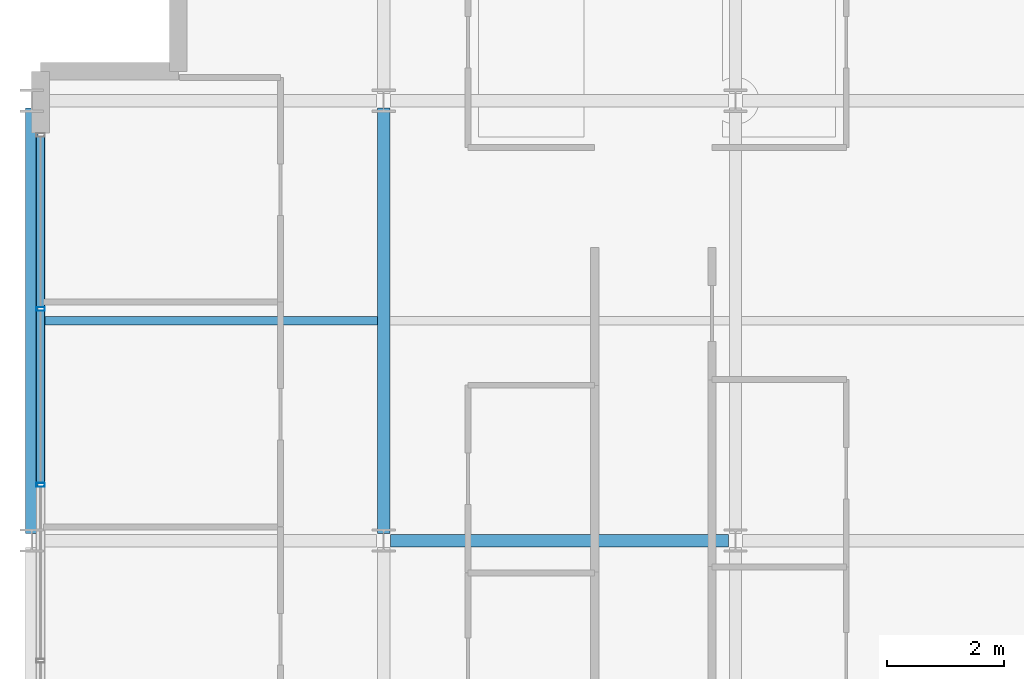
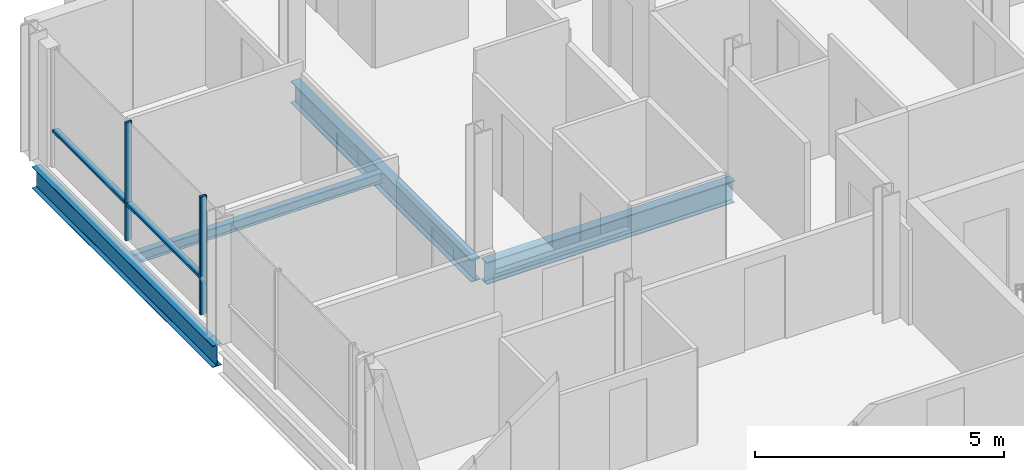
# One storey, part 5 of 33: 4 beams, 4 members, 1 element without a shape of its own.
"""IFC4 building model written with IfcOpenShell, lengths in metres."""

from ifc_helpers import new_model, si_unit, direction, frame, origin, origin_2d, place, context, subcontext, project, spatial, hollow_rectangle, i_section, extrude, material, layer, layer_set, material_profile, profile_set, type_object, element, aggregate, save


model = new_model("IFC4")

# Units and contexts
model_context = context("Model", 3, precision=1e-05, world=origin(), true_north=direction((0.0, 1.0)))
body_context = subcontext(model_context, "Body", "Model", "MODEL_VIEW")
ifc_project = project(units=[si_unit("LENGTHUNIT", "METRE"), si_unit("AREAUNIT", "SQUARE_METRE"), si_unit("VOLUMEUNIT", "CUBIC_METRE"), si_unit("PLANEANGLEUNIT", "RADIAN"), si_unit("MASSUNIT", "GRAM", prefix="KILO")], contexts=[model_context])

# Site, building, storey
site_placement = place(None, origin())
site = spatial("IfcSite", under=ifc_project, at=site_placement, CompositionType="ELEMENT")
building_placement = place(site_placement, origin())
building = spatial("IfcBuilding", under=site, at=building_placement, Name="Brevholm Reach", CompositionType="ELEMENT")
storey_placement = place(building_placement, frame((0.0, 0.0, 189.39990234375)))
storey = spatial("IfcBuildingStorey", under=building, at=storey_placement, Name="L57", CompositionType="ELEMENT", Elevation=189.39990234375)

# Beams
ifc_material_1 = material(Name="Structural Steel S355J2", Category="steel")
ifc_material_profile_1 = material_profile(ifc_material_1, i_section(OverallWidth=0.14599609375, OverallDepth=0.25146484375, WebThickness=0.006103515625, FlangeThickness=0.008544921875, FilletRadius=0.007568359375, at=origin_2d()), Name="UKB 254x146x31")
ifc_profile_set_1 = profile_set([ifc_material_profile_1], Name="Structural Steel S355J2")
beam_type_1 = type_object("IfcBeamType", Name="BM-B254", PredefinedType="BEAM", material=ifc_profile_set_1)
beam_1_placement = place(storey_placement, frame((0.104736328125, 19.75, -0.335693359375), z_axis=(1.0, 0.0, 0.0), x_axis=(0.0, 1.0, 0.0)))
element("IfcBeam", 1, at=beam_1_placement, inside=storey, type_object=beam_type_1, Name="L57 Composite Secondary Floor Beam", PredefinedType="BEAM", context=body_context, shape_type="SweptSolid", body=[
    extrude(i_section(OverallWidth=0.14599609375, OverallDepth=0.25146484375, WebThickness=0.006103515625, FlangeThickness=0.008544921875, FilletRadius=0.007568359375, at=origin_2d()), origin(), (0.0, 0.0, 1.0), 5.789794921875),
])
ifc_material_2 = material(Name="Structural Steel S355J2", Category="steel")
ifc_material_profile_2 = material_profile(ifc_material_2, i_section(OverallWidth=0.209228515625, OverallDepth=0.533203125, WebThickness=0.010009765625, FlangeThickness=0.015625, FilletRadius=0.0126953125, at=origin_2d()), Name="UKB 533x210x92")
ifc_profile_set_2 = profile_set([ifc_material_profile_2], Name="Structural Steel S355J2")
beam_type_2 = type_object("IfcBeamType", Name="BM-SP533", PredefinedType="SPANDREL", material=ifc_profile_set_2)
beam_2_placement = place(storey_placement, frame((0.0, 16.1201171875, -0.4765625), z_axis=(0.0, 1.0, 0.0), x_axis=(-1.0, 0.0, 0.0)))
element("IfcBeam", 2, at=beam_2_placement, inside=storey, type_object=beam_type_2, Name="L57 SP-02 Framing Beam", PredefinedType="SPANDREL", context=body_context, shape_type="SweptSolid", body=[
    extrude(i_section(OverallWidth=0.209228515625, OverallDepth=0.533203125, WebThickness=0.010009765625, FlangeThickness=0.015625, FilletRadius=0.0126953125, at=origin_2d()), origin(), (0.0, 0.0, 1.0), 7.259765625),
])
ifc_material_3 = material(Name="Structural Steel S355J2", Category="steel")
ifc_material_profile_3 = material_profile(ifc_material_3, i_section(OverallWidth=0.210693359375, OverallDepth=0.53955078125, WebThickness=0.01171875, FlangeThickness=0.018798828125, FilletRadius=0.0126953125, at=origin_2d()), Name="UKB 533x210x109")
ifc_profile_set_3 = profile_set([ifc_material_profile_3], Name="Structural Steel S355J2")
beam_type_3 = type_object("IfcBeamType", Name="BM-SP539", PredefinedType="SPANDREL", material=ifc_profile_set_3)
beam_3_placement = place(storey_placement, frame((6.1201171875, 16.0, -0.479736328125), z_axis=(1.0, 0.0, 0.0), x_axis=(0.0, 1.0, 0.0)))
element("IfcBeam", 3, at=beam_3_placement, inside=storey, type_object=beam_type_3, Name="L57 SP-01B Framing Beam", PredefinedType="SPANDREL", context=body_context, shape_type="SweptSolid", body=[
    extrude(i_section(OverallWidth=0.210693359375, OverallDepth=0.53955078125, WebThickness=0.01171875, FlangeThickness=0.018798828125, FilletRadius=0.0126953125, at=origin_2d()), origin(), (0.0, 0.0, 1.0), 5.759765625),
])
beam_4_placement = place(storey_placement, frame((6.0, 16.1201171875, -0.479736328125), z_axis=(0.0, 1.0, 0.0), x_axis=(-1.0, 0.0, 0.0)))
element("IfcBeam", 4, at=beam_4_placement, inside=storey, type_object=beam_type_3, Name="L57 SP-01B Framing Beam", PredefinedType="SPANDREL", context=body_context, shape_type="SweptSolid", body=[
    extrude(i_section(OverallWidth=0.210693359375, OverallDepth=0.53955078125, WebThickness=0.01171875, FlangeThickness=0.018798828125, FilletRadius=0.0126953125, at=origin_2d()), origin(), (0.0, 0.0, 1.0), 7.259765625),
])

# Curtain wall, members
ifc_material_4 = material(Name="Dark Anodised Aluminium 6063-T6 and Solar-Control Glass", Category="aluminium")
ifc_layer = layer(ifc_material_4, 0.14990234375)
ifc_layer_set = layer_set([ifc_layer], Name="Dark Anodised Aluminium 6063-T6 and Solar-Control Glass")
curtain_wall_type = type_object("IfcCurtainWallType", Name="CW-01", PredefinedType="NOTDEFINED", material=ifc_layer_set)
curtain_wall_placement = place(storey_placement, origin())
curtain_wall = element("IfcCurtainWall", 5, at=curtain_wall_placement, inside=storey, type_object=curtain_wall_type, Name="L57 Curtain Wall CW-01", PredefinedType="NOTDEFINED")
ifc_material_5 = material(Name="Dark Anodised Aluminium 6063-T6", Category="aluminium")
ifc_material_profile_4 = material_profile(ifc_material_5, hollow_rectangle(XDim=0.06494140625, YDim=0.14990234375, WallThickness=0.0048828125, InnerFilletRadius=0.0048828125, OuterFilletRadius=0.010009765625, at=origin_2d()), Name="RHS 150x65x5")
ifc_profile_set_4 = profile_set([ifc_material_profile_4], Name="Dark Anodised Aluminium 6063-T6")
member_type_1 = type_object("IfcMemberType", Name="CWM-150", PredefinedType="MULLION", material=ifc_profile_set_4)
member_1_placement = place(storey_placement, frame((0.14990234375, 19.949951171875, 0.0), z_axis=(0.0, 0.0, 1.0), x_axis=(0.0, -1.0, 0.0)))
member_1 = element("IfcMember", 6, at=member_1_placement, type_object=member_type_1, Name="CM-150 Mullion 2", PredefinedType="MULLION", context=body_context, shape_type="SweptSolid", body=[
    extrude(hollow_rectangle(XDim=0.06494140625, YDim=0.14990234375, WallThickness=0.0048828125, InnerFilletRadius=0.0048828125, OuterFilletRadius=0.010009765625, at=origin_2d()), origin(), (0.0, 0.0, 1.0), 2.89013671875),
])
member_2_placement = place(storey_placement, frame((0.14990234375, 16.949951171875, 0.0), z_axis=(0.0, 0.0, 1.0), x_axis=(0.0, -1.0, 0.0)))
member_2 = element("IfcMember", 7, at=member_2_placement, type_object=member_type_1, Name="CM-150 Mullion 3", PredefinedType="MULLION", context=body_context, shape_type="SweptSolid", body=[
    extrude(hollow_rectangle(XDim=0.06494140625, YDim=0.14990234375, WallThickness=0.0048828125, InnerFilletRadius=0.0048828125, OuterFilletRadius=0.010009765625, at=origin_2d()), origin(), (0.0, 0.0, 1.0), 2.89013671875),
])
ifc_material_6 = material(Name="Dark Anodised Aluminium 6063-T6", Category="aluminium")
ifc_material_profile_5 = material_profile(ifc_material_6, hollow_rectangle(XDim=0.06494140625, YDim=0.14990234375, WallThickness=0.0048828125, InnerFilletRadius=0.0048828125, OuterFilletRadius=0.010009765625, at=origin_2d()), Name="RHS 150x65x5")
ifc_profile_set_5 = profile_set([ifc_material_profile_5], Name="Dark Anodised Aluminium 6063-T6")
member_type_2 = type_object("IfcMemberType", Name="CWT-150", PredefinedType="NOTDEFINED", material=ifc_profile_set_5)
member_3_placement = place(storey_placement, frame((0.14990234375, 22.885009765625, 0.900146484375), z_axis=(0.0, -1.0, 0.0), x_axis=(0.0, 0.0, 1.0)))
member_3 = element("IfcMember", 8, at=member_3_placement, type_object=member_type_2, Name="CT-150 Transom 1.1", ObjectType="TRANSOM", PredefinedType="USERDEFINED", context=body_context, shape_type="SweptSolid", body=[
    extrude(hollow_rectangle(XDim=0.06494140625, YDim=0.14990234375, WallThickness=0.0048828125, InnerFilletRadius=0.0048828125, OuterFilletRadius=0.010009765625, at=origin_2d()), origin(), (0.0, 0.0, 1.0), 2.902587890625),
])
member_4_placement = place(storey_placement, frame((0.14990234375, 19.91748046875, 0.900146484375), z_axis=(0.0, -1.0, 0.0), x_axis=(0.0, 0.0, 1.0)))
member_4 = element("IfcMember", 9, at=member_4_placement, type_object=member_type_2, Name="CT-150 Transom 2.1", ObjectType="TRANSOM", PredefinedType="USERDEFINED", context=body_context, shape_type="SweptSolid", body=[
    extrude(hollow_rectangle(XDim=0.06494140625, YDim=0.14990234375, WallThickness=0.0048828125, InnerFilletRadius=0.0048828125, OuterFilletRadius=0.010009765625, at=origin_2d()), origin(), (0.0, 0.0, 1.0), 2.93505859375),
])
aggregate(curtain_wall, [member_1, member_2, member_3, member_4])

save(model, "model.ifc")
